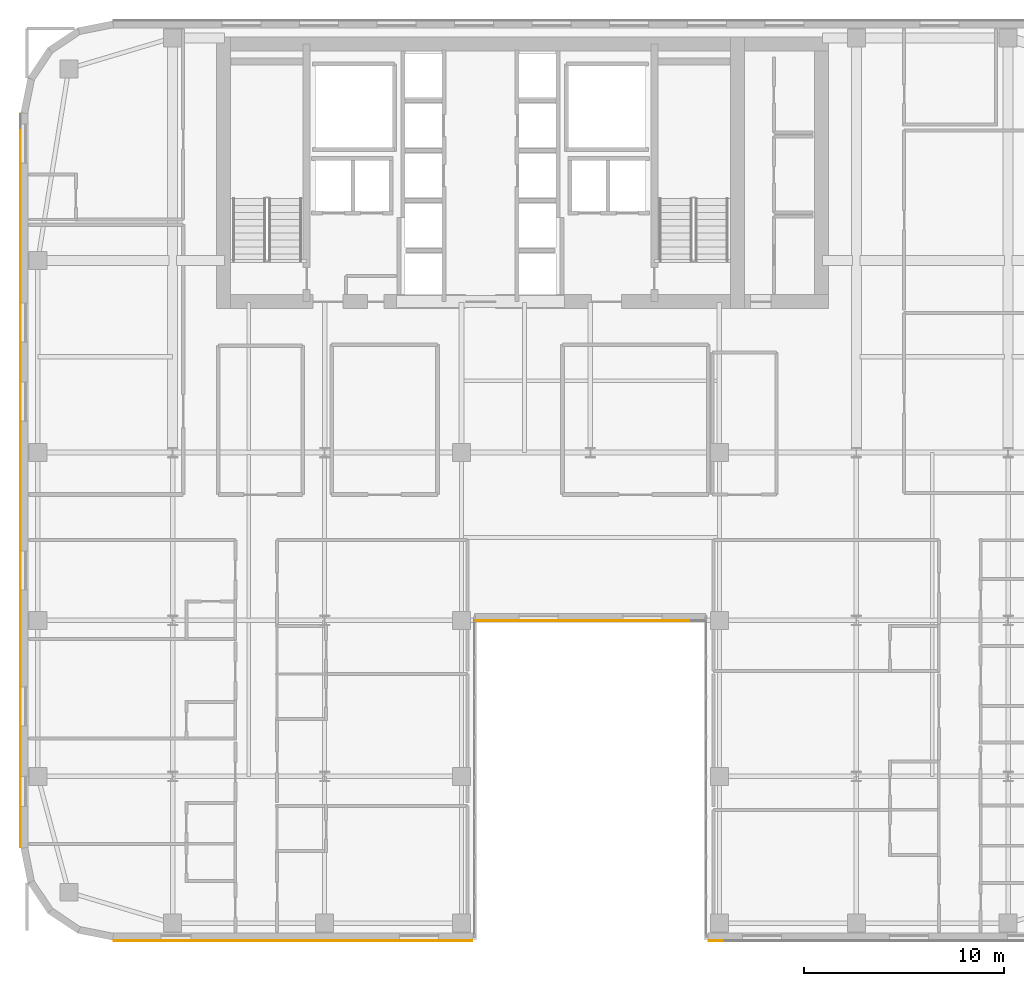
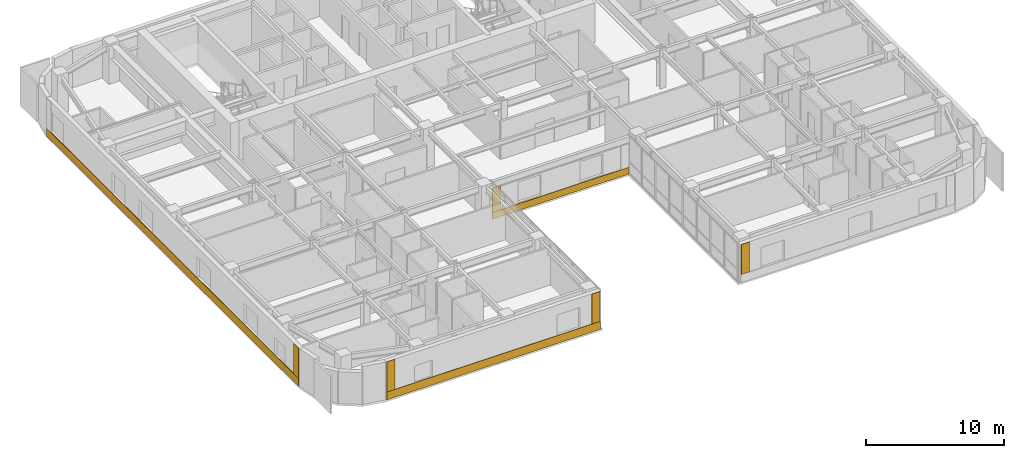
# One storey, part 21 of 25: 8 coverings.
"""IFC4 building model written with IfcOpenShell, lengths in metres."""

from ifc_helpers import new_model, si_unit, direction, frame, origin, place, context, subcontext, project, spatial, polyline, outline, extrude, material, layer, layer_set, type_object, element, save


model = new_model("IFC4")

# Units and contexts
model_context = context("Model", 3, precision=1e-05, world=origin(), true_north=direction((0.0, 1.0)))
body_context = subcontext(model_context, "Body", "Model", "MODEL_VIEW")
ifc_project = project(units=[si_unit("LENGTHUNIT", "METRE"), si_unit("AREAUNIT", "SQUARE_METRE"), si_unit("VOLUMEUNIT", "CUBIC_METRE"), si_unit("PLANEANGLEUNIT", "RADIAN"), si_unit("MASSUNIT", "GRAM", prefix="KILO")], contexts=[model_context])

# Site, building, storey
site_placement = place(None, origin())
site = spatial("IfcSite", under=ifc_project, at=site_placement, CompositionType="ELEMENT")
building_placement = place(site_placement, origin())
building = spatial("IfcBuilding", under=site, at=building_placement, Name="Tolvann Quenvar Hotel", CompositionType="ELEMENT")
storey_placement = place(building_placement, frame((0.0, 0.0, 132.85009765625)))
storey = spatial("IfcBuildingStorey", under=building, at=storey_placement, Name="L34", CompositionType="ELEMENT", Elevation=132.85009765625)

# Coverings
ifc_material_1 = material(Name="Kiln-fired red architectural face brick cladding", Category="masonry")
ifc_layer_1 = layer(ifc_material_1, 0.0400390625)
ifc_layer_set_1 = layer_set([ifc_layer_1], Name="Kiln-fired red architectural face brick cladding")
covering_type_1 = type_object("IfcCoveringType", Name="COV_CLAD_BRICK_40", PredefinedType="CLADDING", material=ifc_layer_set_1)
covering_1_placement = place(storey_placement, frame((0.0, 0.0, 0.699951171875)))
element("IfcCovering", 1, at=covering_1_placement, inside=storey, type_object=covering_type_1, Name="Brick Pier Cladding (L34-E04-P1)", PredefinedType="CLADDING", context=body_context, shape_type="SweptSolid", body=[
    extrude(outline(polyline([(4.667236328125, 0.0), (5.3671875, 0.0), (5.3671875, -0.0400390625), (4.667236328125, -0.0400390625), (4.667236328125, 0.0)])), origin(), (0.0, 0.0, 1.0), 2.669921875),
])
covering_2_placement = place(storey_placement, frame((0.0, 0.0, 0.699951171875)))
element("IfcCovering", 2, at=covering_2_placement, inside=storey, type_object=covering_type_1, Name="Brick Pier Cladding (L34-E04-P2)", PredefinedType="CLADDING", context=body_context, shape_type="SweptSolid", body=[
    extrude(outline(polyline([(21.875, 0.0), (22.574951171875, 0.0), (22.574951171875, -0.0400390625), (21.875, -0.0400390625), (21.875, 0.0)])), origin(), (0.0, 0.0, 1.0), 2.669921875),
])
covering_3_placement = place(storey_placement, frame((0.0, 0.0, 0.6044921875)))
element("IfcCovering", 3, at=covering_3_placement, inside=storey, type_object=covering_type_1, Name="Brick Pier Cladding (L34-E06-P1)", PredefinedType="CLADDING", context=body_context, shape_type="SweptSolid", body=[
    extrude(outline(polyline([(22.760009765625, 16.0), (23.4599609375, 16.0), (23.4599609375, 15.9599609375), (22.760009765625, 15.9599609375), (22.760009765625, 16.0)])), origin(), (0.0, 0.0, 1.0), 2.143310546875),
])
covering_4_placement = place(storey_placement, frame((0.0, 0.0, 0.699951171875)))
element("IfcCovering", 4, at=covering_4_placement, inside=storey, type_object=covering_type_1, Name="Brick Pier Cladding (L34-E08-P1)", PredefinedType="CLADDING", context=body_context, shape_type="SweptSolid", body=[
    extrude(outline(polyline([(34.425048828125, 0.0), (35.125, 0.0), (35.125, -0.0400390625), (34.425048828125, -0.0400390625), (34.425048828125, 0.0)])), origin(), (0.0, 0.0, 1.0), 2.669921875),
])
covering_5_placement = place(storey_placement, frame((0.0, 0.0, 0.699951171875)))
element("IfcCovering", 5, at=covering_5_placement, inside=storey, type_object=covering_type_1, Name="Brick Pier Cladding (L34-E23-P2)", PredefinedType="CLADDING", context=body_context, shape_type="SweptSolid", body=[
    extrude(outline(polyline([(0.0, 5.3671875), (0.0, 4.667236328125), (-0.0400390625, 4.667236328125), (-0.0400390625, 5.3671875), (0.0, 5.3671875)])), origin(), (0.0, 0.0, 1.0), 2.669921875),
])
ifc_material_2 = material(Name="Moulded buff architectural terracotta spandrel cladding", Category="masonry")
ifc_layer_2 = layer(ifc_material_2, 0.0400390625)
ifc_layer_set_2 = layer_set([ifc_layer_2], Name="Moulded buff architectural terracotta spandrel cladding")
covering_type_2 = type_object("IfcCoveringType", Name="COV_CLAD_TERRA_40", PredefinedType="CLADDING", material=ifc_layer_set_2)
covering_6_placement = place(storey_placement, origin())
element("IfcCovering", 6, at=covering_6_placement, inside=storey, type_object=covering_type_2, Name="Terracotta Spandrel Cladding (L34-E04)", PredefinedType="CLADDING", context=body_context, shape_type="SweptSolid", body=[
    extrude(outline(polyline([(4.6572265625, 0.0), (22.5849609375, 0.0), (22.5849609375, -0.0400390625), (4.6572265625, -0.0400390625), (4.6572265625, 0.0)])), origin(), (0.0, 0.0, 1.0), 0.699951171875),
])
covering_7_placement = place(storey_placement, origin())
element("IfcCovering", 7, at=covering_7_placement, inside=storey, type_object=covering_type_2, Name="Terracotta Spandrel Cladding (L34-E06)", PredefinedType="CLADDING", context=body_context, shape_type="SweptSolid", body=[
    extrude(outline(polyline([(22.75, 16.0), (34.25, 16.0), (34.25, 15.9599609375), (22.75, 15.9599609375), (22.75, 16.0)])), origin(), (0.0, 0.0, 1.0), 0.6044921875),
])
covering_8_placement = place(storey_placement, origin())
element("IfcCovering", 8, at=covering_8_placement, inside=storey, type_object=covering_type_2, Name="Terracotta Spandrel Cladding (L34-E23)", PredefinedType="CLADDING", context=body_context, shape_type="SweptSolid", body=[
    extrude(outline(polyline([(0.0, 41.3427734375), (0.0, 4.6572265625), (-0.0400390625, 4.6572265625), (-0.0400390625, 41.3427734375), (0.0, 41.3427734375)])), origin(), (0.0, 0.0, 1.0), 0.699951171875),
])

save(model, "model.ifc")
